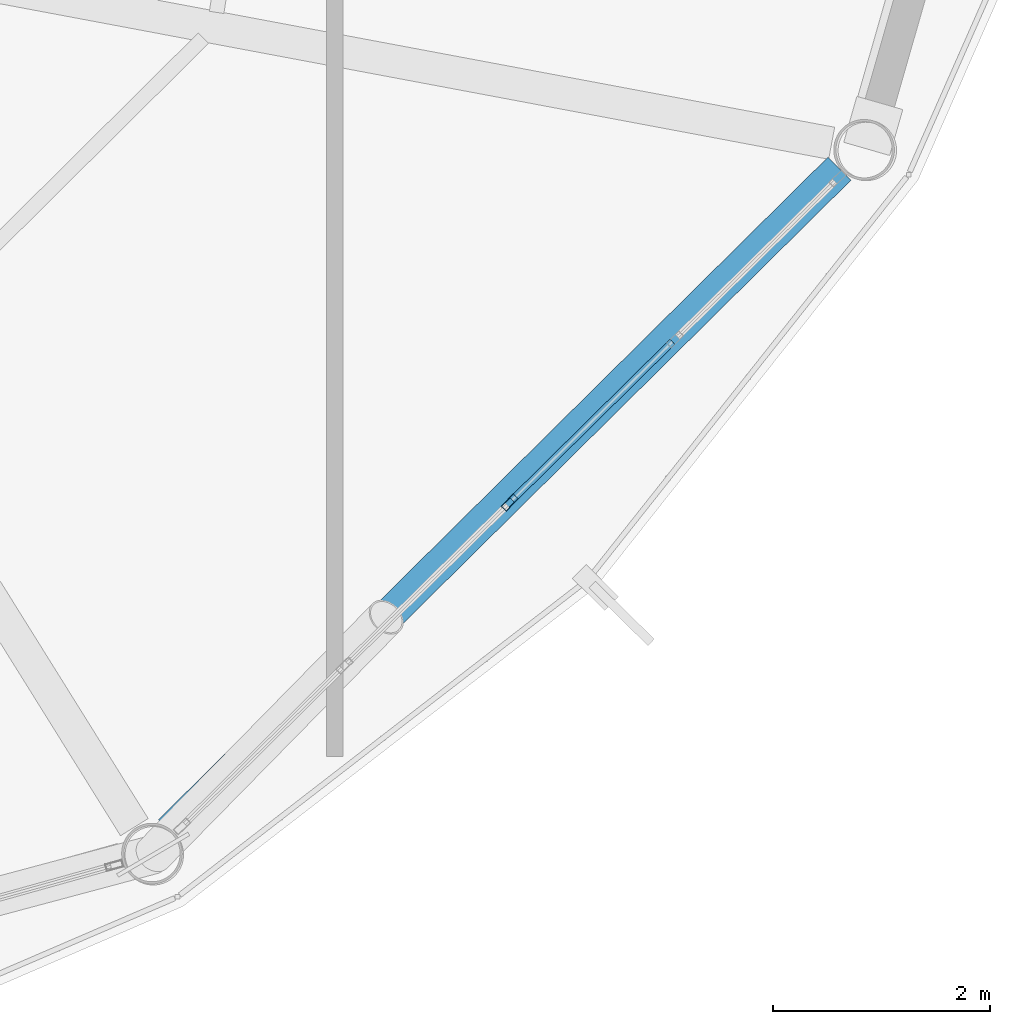
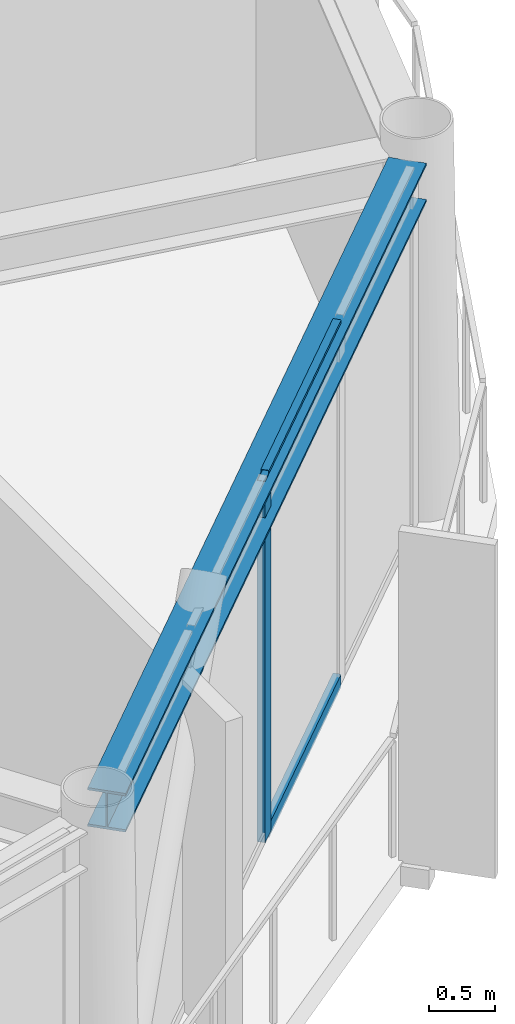
# One storey, part 8 of 26: 3 members, 1 beam, 1 element without a shape of its own.
"""IFC4 building model written with IfcOpenShell, lengths in metres."""

from ifc_helpers import new_model, si_unit, direction, frame, origin, origin_2d, place, context, subcontext, project, spatial, hollow_rectangle, i_section, extrude, material, layer, layer_set, material_profile, profile_set, type_object, element, aggregate, save


model = new_model("IFC4")

# Units and contexts
model_context = context("Model", 3, precision=1e-05, world=origin(), true_north=direction((0.0, 1.0)))
body_context = subcontext(model_context, "Body", "Model", "MODEL_VIEW")
ifc_project = project(units=[si_unit("LENGTHUNIT", "METRE"), si_unit("AREAUNIT", "SQUARE_METRE"), si_unit("VOLUMEUNIT", "CUBIC_METRE"), si_unit("PLANEANGLEUNIT", "RADIAN"), si_unit("MASSUNIT", "GRAM", prefix="KILO")], contexts=[model_context])

# Site, building, storey
site_placement = place(None, origin())
site = spatial("IfcSite", under=ifc_project, at=site_placement, CompositionType="ELEMENT")
building_placement = place(site_placement, origin())
building = spatial("IfcBuilding", under=site, at=building_placement, Name="Varnakorn Sky Granary", CompositionType="ELEMENT")
storey_placement = place(building_placement, frame((0.0, 0.0, 270.60009765625)))
storey = spatial("IfcBuildingStorey", under=building, at=storey_placement, Name="L69", CompositionType="ELEMENT", Elevation=270.60009765625)

# Beam
ifc_material_1 = material(Name="Steel S355JR", Category="steel")
ifc_material_profile_1 = material_profile(ifc_material_1, i_section(OverallWidth=0.300048828125, OverallDepth=0.360107421875, WebThickness=0.012451171875, FlangeThickness=0.0224609375, at=origin_2d()), Name="HE 360 B")
ifc_profile_set_1 = profile_set([ifc_material_profile_1], Name="Steel S355JR")
beam_type = type_object("IfcBeamType", Name="BM-SPD-Z5", PredefinedType="SPANDREL", material=ifc_profile_set_1)
beam_placement = place(storey_placement, frame((13.98095703125, -15.142578125, 3.179931640625), z_axis=(0.710781154111, 0.703413214946, 0.0), x_axis=(-0.703413214946, 0.710781154111, 0.0)))
element("IfcBeam", 1, at=beam_placement, inside=storey, type_object=beam_type, Name="Perimeter Spandrel Ring Beam RB11 L69", PredefinedType="SPANDREL", context=body_context, shape_type="SweptSolid", body=[
    extrude(i_section(OverallWidth=0.300048828125, OverallDepth=0.360107421875, WebThickness=0.012451171875, FlangeThickness=0.0224609375, at=origin_2d()), origin(), (0.0, 0.0, 1.0), 8.681396484375),
])

# Curtain wall, members
ifc_material_2 = material(Name="Anodised Bronze Aluminium Alloy 6063-T6", Category="aluminium")
ifc_layer = layer(ifc_material_2, 0.159912109375, Name="Anodised Bronze Aluminium Alloy 6063-T6")
ifc_layer_set = layer_set([ifc_layer], Name="Anodised Bronze Aluminium Alloy 6063-T6")
curtain_wall_type = type_object("IfcCurtainWallType", Name="CW-OFF-1", PredefinedType="USERDEFINED", material=ifc_layer_set)
curtain_wall_placement = place(storey_placement, origin())
curtain_wall = element("IfcCurtainWall", 2, at=curtain_wall_placement, inside=storey, type_object=curtain_wall_type, Name="Unitised Curtain Wall CW6 CW-L69-B11", ObjectType="CURTAIN WALL", PredefinedType="USERDEFINED")
ifc_material_profile_2 = material_profile(ifc_material_2, hollow_rectangle(XDim=0.06494140625, YDim=0.159912109375, WallThickness=0.00341796875, at=origin_2d()), Name="ALU MULL 65x160")
ifc_profile_set_2 = profile_set([ifc_material_profile_2], Name="Anodised Bronze Aluminium Alloy 6063-T6")
member_type_1 = type_object("IfcMemberType", Name="CW-OFF-1-MULL", PredefinedType="MULLION", material=ifc_profile_set_2)
member_1_placement = place(storey_placement, frame((17.11279296875, -12.112548828125, 0.0), z_axis=(0.0, 0.0, 1.0), x_axis=(0.702728935419, -0.711457689062, 0.0)))
member_1 = element("IfcMember", 3, at=member_1_placement, type_object=member_type_1, Name="CW6 mullion 3", PredefinedType="MULLION", context=body_context, shape_type="SweptSolid", body=[
    extrude(hollow_rectangle(XDim=0.06494140625, YDim=0.159912109375, WallThickness=0.00341796875, at=origin_2d()), origin(), (0.0, 0.0, 1.0), 3.35986328125),
])
ifc_material_profile_3 = material_profile(ifc_material_2, hollow_rectangle(XDim=0.06494140625, YDim=0.1201171875, WallThickness=0.00341796875, at=origin_2d()), Name="ALU TRAN 65x120")
ifc_profile_set_3 = profile_set([ifc_material_profile_3], Name="Anodised Bronze Aluminium Alloy 6063-T6")
member_type_2 = type_object("IfcMemberType", Name="CW-OFF-1-TRAN", PredefinedType="USERDEFINED", material=ifc_profile_set_3)
member_2_placement = place(storey_placement, frame((18.61181640625, -10.6318359375, 0.032470703125), z_axis=(-0.711447975493, -0.702738769506, 0.0), x_axis=(0.702738769506, -0.711447975493, 0.0)))
member_2 = element("IfcMember", 4, at=member_2_placement, type_object=member_type_2, Name="CW6 transom 2.1", ObjectType="TRANSOM", PredefinedType="USERDEFINED", context=body_context, shape_type="SweptSolid", body=[
    extrude(hollow_rectangle(XDim=0.06494140625, YDim=0.1201171875, WallThickness=0.00341796875, at=origin_2d()), origin(), (0.0, 0.0, 1.0), 2.074462890625),
])
member_3_placement = place(storey_placement, frame((18.61181640625, -10.6318359375, 3.327392578125), z_axis=(-0.711447975493, -0.702738769506, 0.0), x_axis=(0.702738769506, -0.711447975493, 0.0)))
member_3 = element("IfcMember", 5, at=member_3_placement, type_object=member_type_2, Name="CW6 transom 2.2", ObjectType="TRANSOM", PredefinedType="USERDEFINED", context=body_context, shape_type="SweptSolid", body=[
    extrude(hollow_rectangle(XDim=0.06494140625, YDim=0.1201171875, WallThickness=0.00341796875, at=origin_2d()), origin(), (0.0, 0.0, 1.0), 2.074462890625),
])
aggregate(curtain_wall, [member_1, member_2, member_3])

save(model, "model.ifc")
